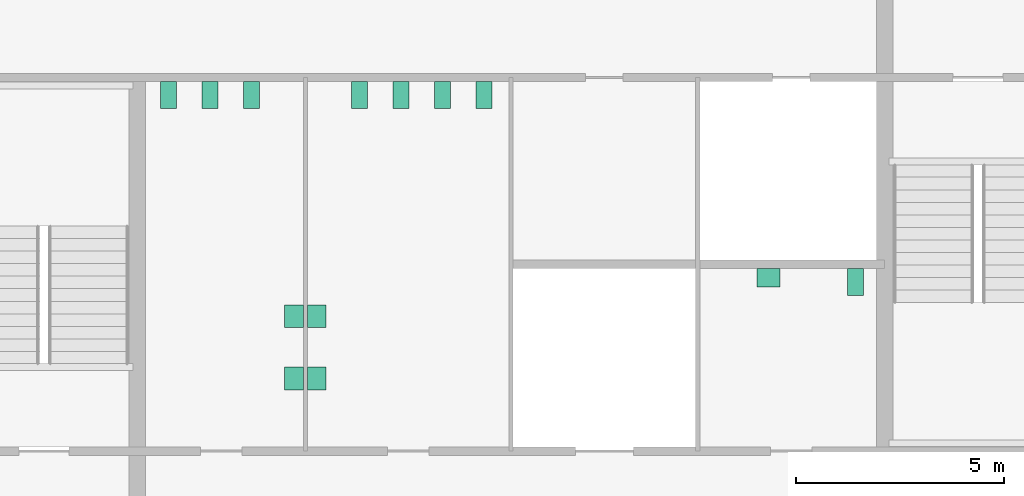
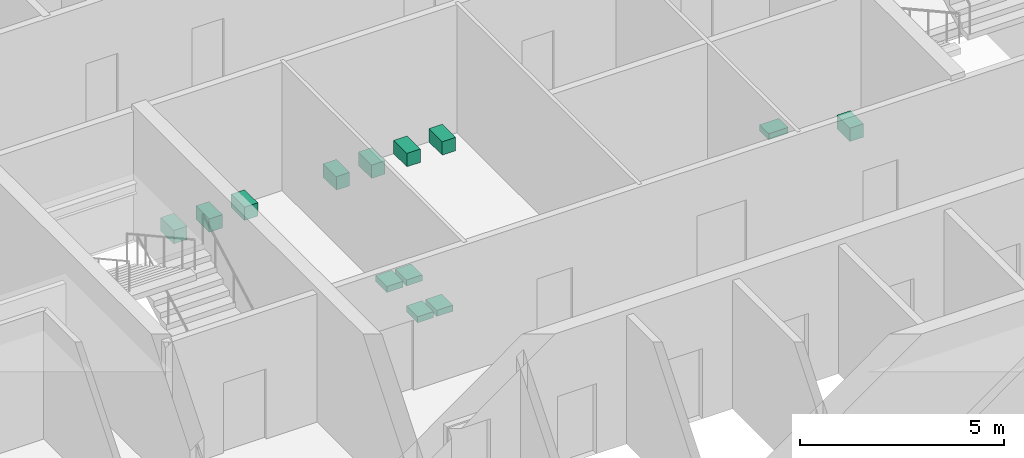
# One storey, part 14 of 14: 13 sanitary terminals.
"""IFC4 building model written with IfcOpenShell, lengths in metres."""

from ifc_helpers import new_model, si_unit, direction, frame, origin, origin_2d, place, context, subcontext, project, spatial, rectangle, extrude, material, type_object, element, save


model = new_model("IFC4")

# Units and contexts
model_context = context("Model", 3, precision=1e-05, world=origin(), true_north=direction((0.0, 1.0)))
body_context = subcontext(model_context, "Body", "Model", "MODEL_VIEW")
ifc_project = project(units=[si_unit("LENGTHUNIT", "METRE"), si_unit("AREAUNIT", "SQUARE_METRE"), si_unit("VOLUMEUNIT", "CUBIC_METRE"), si_unit("PLANEANGLEUNIT", "RADIAN"), si_unit("MASSUNIT", "GRAM", prefix="KILO")], contexts=[model_context])

# Site, building, storey
site_placement = place(None, origin())
site = spatial("IfcSite", under=ifc_project, at=site_placement, CompositionType="ELEMENT")
building_placement = place(site_placement, origin())
building = spatial("IfcBuilding", under=site, at=building_placement, Name="Corais Broadcast Tower", CompositionType="ELEMENT")
storey_placement = place(building_placement, frame((0.0, 0.0, 250.60009765625)))
storey = spatial("IfcBuildingStorey", under=building, at=storey_placement, Name="L58", CompositionType="ELEMENT", Elevation=250.60009765625)

# Sanitary terminals
ifc_material_1 = material(Name="Vitreous china", Category="ceramic")
sanitary_terminal_type_1 = type_object("IfcSanitaryTerminalType", Name="WC pan 380x650", PredefinedType="TOILETPAN", material=ifc_material_1)
for number, where, z_axis, x_axis, name in (
    (1, (18.75, 31.074951171875, 0.0), (0.0, 0.0, 1.0), (1.0, 0.0, 0.0), "SW1 WC pan, male toilets L58"),
    (2, (19.75, 31.074951171875, 0.0), (0.0, 0.0, 1.0), (1.0, 0.0, 0.0), "SW1 WC pan, male toilets L58"),
    (3, (20.75, 31.074951171875, 0.0), (0.0, 0.0, 1.0), (1.0, 0.0, 0.0), "SW1 WC pan, male toilets L58"),
    (4, (23.35009765625, 31.074951171875, 0.0), (0.0, 0.0, 1.0), (1.0, 0.0, 0.0), "SW1 WC pan, female toilets L58"),
    (5, (24.35009765625, 31.074951171875, 0.0), (0.0, 0.0, 1.0), (1.0, 0.0, 0.0), "SW1 WC pan, female toilets L58"),
    (6, (25.35009765625, 31.074951171875, 0.0), (0.0, 0.0, 1.0), (1.0, 0.0, 0.0), "SW1 WC pan, female toilets L58"),
    (7, (26.35009765625, 31.074951171875, 0.0), (0.0, 0.0, 1.0), (1.0, 0.0, 0.0), "SW1 WC pan, female toilets L58"),
    (8, (35.300048828125, 26.574951171875, 0.0), (0.0, 0.0, 1.0), (1.0, 0.0, 0.0), "SW1 WC pan, accessible WC L58"),
):
    element("IfcSanitaryTerminal", number, at=place(storey_placement, frame(where, z_axis=z_axis, x_axis=x_axis)), inside=storey, type_object=sanitary_terminal_type_1, Name=name, PredefinedType="TOILETPAN", context=body_context, shape_type="SweptSolid", body=[
        extrude(rectangle(XDim=0.3798828125, YDim=0.64990234375, at=origin_2d()), origin(), (0.0, 0.0, 1.0), 0.39990234375),
    ])
ifc_material_2 = material(Name="Vitreous china", Category="ceramic")
sanitary_terminal_type_2 = type_object("IfcSanitaryTerminalType", Name="Wash basin 550x450", PredefinedType="WASHHANDBASIN", material=ifc_material_2)
for number, where, z_axis, x_axis, name in (
    (9, (21.77490234375, 24.25, 0.69970703125), (0.0, 0.0, 1.0), (1.0, 0.0, 0.0), "WB1 wash basin, male toilets L58"),
    (10, (21.77490234375, 25.75, 0.69970703125), (0.0, 0.0, 1.0), (1.0, 0.0, 0.0), "WB1 wash basin, male toilets L58"),
    (11, (22.324951171875, 24.25, 0.69970703125), (0.0, 0.0, 1.0), (1.0, 0.0, 0.0), "WB1 wash basin, female toilets L58"),
    (12, (22.324951171875, 25.75, 0.69970703125), (0.0, 0.0, 1.0), (1.0, 0.0, 0.0), "WB1 wash basin, female toilets L58"),
):
    element("IfcSanitaryTerminal", number, at=place(storey_placement, frame(where, z_axis=z_axis, x_axis=x_axis)), inside=storey, type_object=sanitary_terminal_type_2, Name=name, PredefinedType="WASHHANDBASIN", context=body_context, shape_type="SweptSolid", body=[
        extrude(rectangle(XDim=0.449951171875, YDim=0.550048828125, at=origin_2d()), origin(), (0.0, 0.0, 1.0), 0.179931640625),
    ])
sanitary_terminal_placement = place(storey_placement, frame((33.199951171875, 26.675048828125, 0.69970703125), z_axis=(0.0, 0.0, 1.0), x_axis=(1.0, 0.0, 0.0)))
element("IfcSanitaryTerminal", 13, at=sanitary_terminal_placement, inside=storey, type_object=sanitary_terminal_type_2, Name="WB1 wash basin, accessible WC L58", PredefinedType="WASHHANDBASIN", context=body_context, shape_type="SweptSolid", body=[
    extrude(rectangle(XDim=0.550048828125, YDim=0.449951171875, at=origin_2d()), origin(), (0.0, 0.0, 1.0), 0.179931640625),
])

save(model, "model.ifc")
